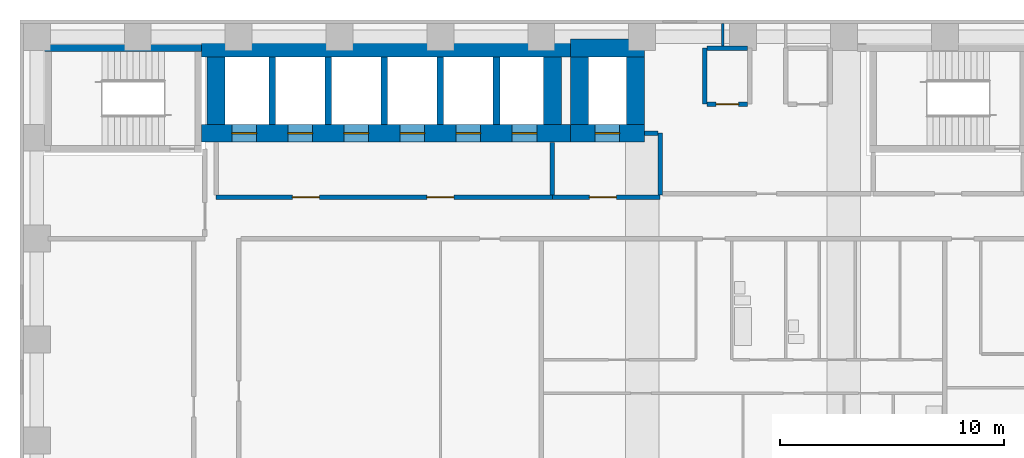
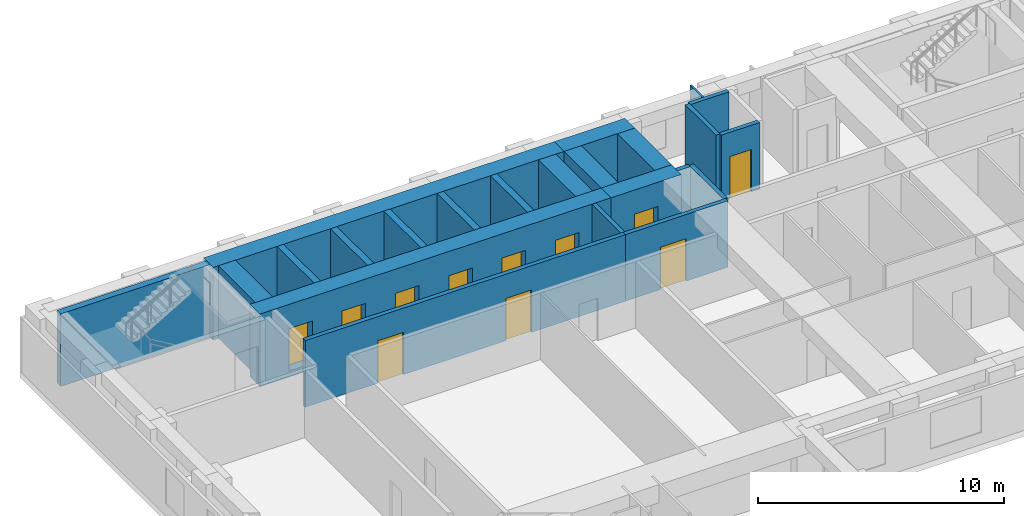
# One storey, part 7 of 14: 23 walls, 11 doors, 11 openings.
"""IFC4 building model written with IfcOpenShell, lengths in metres."""

from ifc_helpers import new_model, si_unit, direction, frame, frame_2d, origin, place, context, subcontext, project, spatial, rectangle, extrude, material, layer, layer_set, type_object, element, fill, save


model = new_model("IFC4")

# Units and contexts
model_context = context("Model", 3, precision=1e-05, world=origin(), true_north=direction((0.0, 1.0)))
body_context = subcontext(model_context, "Body", "Model", "MODEL_VIEW")
ifc_project = project(units=[si_unit("LENGTHUNIT", "METRE"), si_unit("AREAUNIT", "SQUARE_METRE"), si_unit("VOLUMEUNIT", "CUBIC_METRE"), si_unit("PLANEANGLEUNIT", "RADIAN"), si_unit("MASSUNIT", "GRAM", prefix="KILO")], contexts=[model_context])

# Site, building, storey
site_placement = place(None, origin())
site = spatial("IfcSite", under=ifc_project, at=site_placement, CompositionType="ELEMENT")
building_placement = place(site_placement, origin())
building = spatial("IfcBuilding", under=site, at=building_placement, Name="Firuza Court", CompositionType="ELEMENT")
storey_placement = place(building_placement, frame((0.0, 0.0, 32.60009765625)))
storey = spatial("IfcBuildingStorey", under=building, at=storey_placement, Name="L06", CompositionType="ELEMENT", Elevation=32.60009765625)

# Walls
ifc_material_1 = material(Name="Concrete C60/75", Category="concrete")
ifc_layer_1 = layer(ifc_material_1, 0.300048828125)
ifc_layer_set_1 = layer_set([ifc_layer_1], Name="Concrete C60/75")
wall_type_1 = type_object("IfcWallType", Name="Core wall 300 C60/75", PredefinedType="SHEAR", material=ifc_layer_set_1)
wall_1_placement = place(storey_placement, frame((0.35009765625, 58.0, -0.300048828125), z_axis=(0.0, 0.0, 1.0), x_axis=(1.0, 0.0, 0.0)))
element("IfcWall", 1, at=wall_1_placement, inside=storey, type_object=wall_type_1, Name="Core wall stair L06", PredefinedType="SHEAR", context=body_context, shape_type="SweptSolid", body=[
    extrude(rectangle(XDim=7.0, YDim=0.300048828125, at=frame_2d((3.5, 0.0))), origin(), (0.0, 0.0, 1.0), 3.599853515625),
])
for number, where, z_axis, x_axis, name in (
    (2, (10.5, 54.60009765625, -0.300048828125), (0.0, 0.0, 1.0), (0.0, 1.0, 0.0), "Core wall lift shaft L06"),
    (3, (13.0, 54.60009765625, -0.300048828125), (0.0, 0.0, 1.0), (0.0, 1.0, 0.0), "Core wall lift shaft L06"),
    (4, (15.5, 54.60009765625, -0.300048828125), (0.0, 0.0, 1.0), (0.0, 1.0, 0.0), "Core wall lift shaft L06"),
    (5, (18.0, 54.60009765625, -0.300048828125), (0.0, 0.0, 1.0), (0.0, 1.0, 0.0), "Core wall lift shaft L06"),
    (6, (20.5, 54.60009765625, -0.300048828125), (0.0, 0.0, 1.0), (0.0, 1.0, 0.0), "Core wall lift shaft L06"),
):
    element("IfcWall", number, at=place(storey_placement, frame(where, z_axis=z_axis, x_axis=x_axis)), inside=storey, type_object=wall_type_1, Name=name, PredefinedType="SHEAR", context=body_context, shape_type="SweptSolid", body=[
        extrude(rectangle(XDim=3.0, YDim=0.300048828125, at=frame_2d((1.5, 0.0))), origin(), (0.0, 0.0, 1.0), 3.599853515625),
    ])

# Wall, openings, doors
ifc_layer_2 = layer(ifc_material_1, 0.800048828125)
ifc_layer_set_2 = layer_set([ifc_layer_2], Name="Concrete C60/75")
wall_type_2 = type_object("IfcWallType", Name="Core wall 800 C60/75", PredefinedType="SHEAR", material=ifc_layer_set_2)
wall_2_placement = place(storey_placement, frame((7.35009765625, 54.199951171875, -0.300048828125), z_axis=(0.0, 0.0, 1.0), x_axis=(1.0, 0.0, 0.0)))
wall_2 = element("IfcWall", 7, at=wall_2_placement, inside=storey, type_object=wall_type_2, Name="Core wall lift shaft L06", PredefinedType="SHEAR", context=body_context, shape_type="SweptSolid", body=[
    extrude(rectangle(XDim=16.449951171875, YDim=0.800048828125, at=frame_2d((8.22509765625, 0.0))), origin(), (0.0, 0.0, 1.0), 3.599853515625),
])
opening_1_placement = place(wall_2_placement, frame((1.35009765625, 0.0, 0.300048828125)))
opening_1 = element("IfcOpeningElement", 8, at=opening_1_placement, cuts=wall_2, Name="Opening LD-LB1-06", PredefinedType="OPENING", context=body_context, shape_type="SweptSolid", body=[
    extrude(rectangle(XDim=1.10009765625, YDim=2.10009765625, at=frame_2d((0.550048828125, 1.050048828125))), frame((0.0, 0.412109375, 0.0), z_axis=(0.0, -1.0, 0.0), x_axis=(1.0, 0.0, 0.0)), (0.0, 0.0, 1.0), 0.823974609375),
])
opening_2_placement = place(wall_2_placement, frame((3.85009765625, 0.0, 0.300048828125)))
opening_2 = element("IfcOpeningElement", 9, at=opening_2_placement, cuts=wall_2, Name="Opening LD-LB2-06", PredefinedType="OPENING", context=body_context, shape_type="SweptSolid", body=[
    extrude(rectangle(XDim=1.10009765625, YDim=2.10009765625, at=frame_2d((0.550048828125, 1.050048828125))), frame((0.0, 0.412109375, 0.0), z_axis=(0.0, -1.0, 0.0), x_axis=(1.0, 0.0, 0.0)), (0.0, 0.0, 1.0), 0.823974609375),
])
opening_3_placement = place(wall_2_placement, frame((6.35009765625, 0.0, 0.300048828125)))
opening_3 = element("IfcOpeningElement", 10, at=opening_3_placement, cuts=wall_2, Name="Opening LD-LB3-06", PredefinedType="OPENING", context=body_context, shape_type="SweptSolid", body=[
    extrude(rectangle(XDim=1.10009765625, YDim=2.10009765625, at=frame_2d((0.550048828125, 1.050048828125))), frame((0.0, 0.412109375, 0.0), z_axis=(0.0, -1.0, 0.0), x_axis=(1.0, 0.0, 0.0)), (0.0, 0.0, 1.0), 0.823974609375),
])
opening_4_placement = place(wall_2_placement, frame((8.85009765625, 0.0, 0.300048828125)))
opening_4 = element("IfcOpeningElement", 11, at=opening_4_placement, cuts=wall_2, Name="Opening LD-LB4-06", PredefinedType="OPENING", context=body_context, shape_type="SweptSolid", body=[
    extrude(rectangle(XDim=1.10009765625, YDim=2.10009765625, at=frame_2d((0.550048828125, 1.050048828125))), frame((0.0, 0.412109375, 0.0), z_axis=(0.0, -1.0, 0.0), x_axis=(1.0, 0.0, 0.0)), (0.0, 0.0, 1.0), 0.823974609375),
])
opening_5_placement = place(wall_2_placement, frame((11.35009765625, 0.0, 0.300048828125)))
opening_5 = element("IfcOpeningElement", 12, at=opening_5_placement, cuts=wall_2, Name="Opening LD-LB5-06", PredefinedType="OPENING", context=body_context, shape_type="SweptSolid", body=[
    extrude(rectangle(XDim=1.10009765625, YDim=2.10009765625, at=frame_2d((0.550048828125, 1.050048828125))), frame((0.0, 0.412109375, 0.0), z_axis=(0.0, -1.0, 0.0), x_axis=(1.0, 0.0, 0.0)), (0.0, 0.0, 1.0), 0.823974609375),
])
opening_6_placement = place(wall_2_placement, frame((13.85009765625, 0.0, 0.300048828125)))
opening_6 = element("IfcOpeningElement", 13, at=opening_6_placement, cuts=wall_2, Name="Opening LD-LB6-06", PredefinedType="OPENING", context=body_context, shape_type="SweptSolid", body=[
    extrude(rectangle(XDim=1.10009765625, YDim=2.10009765625, at=frame_2d((0.550048828125, 1.050048828125))), frame((0.0, 0.412109375, 0.0), z_axis=(0.0, -1.0, 0.0), x_axis=(1.0, 0.0, 0.0)), (0.0, 0.0, 1.0), 0.823974609375),
])
ifc_material_2 = material(Name="Stainless steel 1.4301 door leaf", Category="steel")
door_type_1 = type_object("IfcDoorType", Name="Lift landing door 1100", OperationType="SLIDING_TO_LEFT", PredefinedType="DOOR", material=ifc_material_2)
door_1_placement = place(opening_1_placement, origin())
door_1 = element("IfcDoor", 14, at=door_1_placement, inside=storey, type_object=door_type_1, Name="Landing door LB1", OperationType="SLIDING_TO_LEFT", OverallHeight=2.10009765625, OverallWidth=1.10009765625, PredefinedType="DOOR", context=body_context, shape_type="SweptSolid", body=[
    extrude(rectangle(XDim=1.10009765625, YDim=2.10009765625, at=frame_2d((0.550048828125, 1.050048828125))), frame((0.0, 0.02490234375, 0.0), z_axis=(0.0, -1.0, 0.0), x_axis=(1.0, 0.0, 0.0)), (0.0, 0.0, 1.0), 0.050048828125),
])
fill(opening_1, door_1)
door_2_placement = place(opening_2_placement, origin())
door_2 = element("IfcDoor", 15, at=door_2_placement, inside=storey, type_object=door_type_1, Name="Landing door LB2", OperationType="SLIDING_TO_LEFT", OverallHeight=2.10009765625, OverallWidth=1.10009765625, PredefinedType="DOOR", context=body_context, shape_type="SweptSolid", body=[
    extrude(rectangle(XDim=1.10009765625, YDim=2.10009765625, at=frame_2d((0.550048828125, 1.050048828125))), frame((0.0, 0.02490234375, 0.0), z_axis=(0.0, -1.0, 0.0), x_axis=(1.0, 0.0, 0.0)), (0.0, 0.0, 1.0), 0.050048828125),
])
fill(opening_2, door_2)
door_3_placement = place(opening_3_placement, origin())
door_3 = element("IfcDoor", 16, at=door_3_placement, inside=storey, type_object=door_type_1, Name="Landing door LB3", OperationType="SLIDING_TO_LEFT", OverallHeight=2.10009765625, OverallWidth=1.10009765625, PredefinedType="DOOR", context=body_context, shape_type="SweptSolid", body=[
    extrude(rectangle(XDim=1.10009765625, YDim=2.10009765625, at=frame_2d((0.550048828125, 1.050048828125))), frame((0.0, 0.02490234375, 0.0), z_axis=(0.0, -1.0, 0.0), x_axis=(1.0, 0.0, 0.0)), (0.0, 0.0, 1.0), 0.050048828125),
])
fill(opening_3, door_3)
door_4_placement = place(opening_4_placement, origin())
door_4 = element("IfcDoor", 17, at=door_4_placement, inside=storey, type_object=door_type_1, Name="Landing door LB4", OperationType="SLIDING_TO_LEFT", OverallHeight=2.10009765625, OverallWidth=1.10009765625, PredefinedType="DOOR", context=body_context, shape_type="SweptSolid", body=[
    extrude(rectangle(XDim=1.10009765625, YDim=2.10009765625, at=frame_2d((0.550048828125, 1.050048828125))), frame((0.0, 0.02490234375, 0.0), z_axis=(0.0, -1.0, 0.0), x_axis=(1.0, 0.0, 0.0)), (0.0, 0.0, 1.0), 0.050048828125),
])
fill(opening_4, door_4)
door_5_placement = place(opening_5_placement, origin())
door_5 = element("IfcDoor", 18, at=door_5_placement, inside=storey, type_object=door_type_1, Name="Landing door LB5", OperationType="SLIDING_TO_LEFT", OverallHeight=2.10009765625, OverallWidth=1.10009765625, PredefinedType="DOOR", context=body_context, shape_type="SweptSolid", body=[
    extrude(rectangle(XDim=1.10009765625, YDim=2.10009765625, at=frame_2d((0.550048828125, 1.050048828125))), frame((0.0, 0.02490234375, 0.0), z_axis=(0.0, -1.0, 0.0), x_axis=(1.0, 0.0, 0.0)), (0.0, 0.0, 1.0), 0.050048828125),
])
fill(opening_5, door_5)
door_6_placement = place(opening_6_placement, origin())
door_6 = element("IfcDoor", 19, at=door_6_placement, inside=storey, type_object=door_type_1, Name="Landing door LB6", OperationType="SLIDING_TO_LEFT", OverallHeight=2.10009765625, OverallWidth=1.10009765625, PredefinedType="DOOR", context=body_context, shape_type="SweptSolid", body=[
    extrude(rectangle(XDim=1.10009765625, YDim=2.10009765625, at=frame_2d((0.550048828125, 1.050048828125))), frame((0.0, 0.02490234375, 0.0), z_axis=(0.0, -1.0, 0.0), x_axis=(1.0, 0.0, 0.0)), (0.0, 0.0, 1.0), 0.050048828125),
])
fill(opening_6, door_6)

# Walls
wall_3_placement = place(storey_placement, frame((7.35009765625, 58.0, -0.300048828125), z_axis=(0.0, 0.0, 1.0), x_axis=(1.0, 0.0, 0.0)))
element("IfcWall", 20, at=wall_3_placement, inside=storey, type_object=wall_type_2, Name="Core wall lift shaft L06", PredefinedType="SHEAR", context=body_context, shape_type="SweptSolid", body=[
    extrude(rectangle(XDim=16.449951171875, YDim=0.800048828125, at=frame_2d((8.22509765625, 0.0))), origin(), (0.0, 0.0, 1.0), 3.599853515625),
])
for number, where, z_axis, x_axis, name in (
    (21, (8.0, 54.60009765625, -0.300048828125), (0.0, 0.0, 1.0), (0.0, 1.0, 0.0), "Core wall lift shaft L06"),
    (22, (23.0, 54.60009765625, -0.300048828125), (0.0, 0.0, 1.0), (0.0, 1.0, 0.0), "Core wall lift shaft L06"),
):
    element("IfcWall", number, at=place(storey_placement, frame(where, z_axis=z_axis, x_axis=x_axis)), inside=storey, type_object=wall_type_2, Name=name, PredefinedType="SHEAR", context=body_context, shape_type="SweptSolid", body=[
        extrude(rectangle(XDim=3.0, YDim=0.800048828125, at=frame_2d((1.5, 0.0))), origin(), (0.0, 0.0, 1.0), 3.599853515625),
    ])

# Wall, opening, door
wall_4_placement = place(storey_placement, frame((23.800048828125, 54.199951171875, -0.300048828125), z_axis=(0.0, 0.0, 1.0), x_axis=(1.0, 0.0, 0.0)))
wall_4 = element("IfcWall", 23, at=wall_4_placement, inside=storey, type_object=wall_type_2, Name="Core wall lift shaft L06", PredefinedType="SHEAR", context=body_context, shape_type="SweptSolid", body=[
    extrude(rectangle(XDim=3.300048828125, YDim=0.800048828125, at=frame_2d((1.64990234375, 0.0))), origin(), (0.0, 0.0, 1.0), 3.599853515625),
])
opening_7_placement = place(wall_4_placement, frame((1.10009765625, 0.0, 0.300048828125)))
opening_7 = element("IfcOpeningElement", 24, at=opening_7_placement, cuts=wall_4, Name="Opening LD-FL3-06", PredefinedType="OPENING", context=body_context, shape_type="SweptSolid", body=[
    extrude(rectangle(XDim=1.10009765625, YDim=2.10009765625, at=frame_2d((0.550048828125, 1.050048828125))), frame((0.0, 0.412109375, 0.0), z_axis=(0.0, -1.0, 0.0), x_axis=(1.0, 0.0, 0.0)), (0.0, 0.0, 1.0), 0.823974609375),
])
door_7_placement = place(opening_7_placement, origin())
door_7 = element("IfcDoor", 25, at=door_7_placement, inside=storey, type_object=door_type_1, Name="Landing door FL3", OperationType="SLIDING_TO_LEFT", OverallHeight=2.10009765625, OverallWidth=1.10009765625, PredefinedType="DOOR", context=body_context, shape_type="SweptSolid", body=[
    extrude(rectangle(XDim=1.10009765625, YDim=2.10009765625, at=frame_2d((0.550048828125, 1.050048828125))), frame((0.0, 0.02490234375, 0.0), z_axis=(0.0, -1.0, 0.0), x_axis=(1.0, 0.0, 0.0)), (0.0, 0.0, 1.0), 0.050048828125),
])
fill(opening_7, door_7)

# Walls
wall_5_placement = place(storey_placement, frame((23.800048828125, 58.0, -0.300048828125), z_axis=(0.0, 0.0, 1.0), x_axis=(1.0, 0.0, 0.0)))
element("IfcWall", 26, at=wall_5_placement, inside=storey, type_object=wall_type_2, Name="Core wall lift shaft L06", PredefinedType="SHEAR", context=body_context, shape_type="SweptSolid", body=[
    extrude(rectangle(XDim=3.300048828125, YDim=0.800048828125, at=frame_2d((1.64990234375, 0.0))), origin(), (0.0, 0.0, 1.0), 3.599853515625),
])
for number, where, z_axis, x_axis, name in (
    (27, (24.199951171875, 54.60009765625, -0.300048828125), (0.0, 0.0, 1.0), (0.0, 1.0, 0.0), "Core wall lift shaft L06"),
    (28, (26.699951171875, 54.60009765625, -0.300048828125), (0.0, 0.0, 1.0), (0.0, 1.0, 0.0), "Core wall lift shaft L06"),
):
    element("IfcWall", number, at=place(storey_placement, frame(where, z_axis=z_axis, x_axis=x_axis)), inside=storey, type_object=wall_type_2, Name=name, PredefinedType="SHEAR", context=body_context, shape_type="SweptSolid", body=[
        extrude(rectangle(XDim=3.0, YDim=0.800048828125, at=frame_2d((1.5, 0.0))), origin(), (0.0, 0.0, 1.0), 3.599853515625),
    ])
ifc_material_3 = material(Name="Timber stud partition, plasterboard both sides", Category="wood")
ifc_layer_3 = layer(ifc_material_3, 0.10009765625)
ifc_layer_set_3 = layer_set([ifc_layer_3], Name="Timber stud partition, plasterboard both sides")
wall_type_3 = type_object("IfcWallType", Name="Partition wall 100", PredefinedType="PARTITIONING", material=ifc_layer_set_3)
wall_6_placement = place(storey_placement, frame((30.60009765625, 58.10009765625, 0.0), z_axis=(0.0, 0.0, 1.0), x_axis=(0.0, 1.0, 0.0)))
element("IfcWall", 29, at=wall_6_placement, inside=storey, type_object=wall_type_3, Name="Partition wall 100 L06", PredefinedType="PARTITIONING", context=body_context, shape_type="SweptSolid", body=[
    extrude(rectangle(XDim=1.0, YDim=0.10009765625, at=frame_2d((0.5, 0.0))), origin(), (0.0, 0.0, 1.0), 3.2998046875),
])
ifc_material_4 = material(Name="Blockwork, fire-rated", Category="masonry")
ifc_layer_4 = layer(ifc_material_4, 0.199951171875)
ifc_layer_set_4 = layer_set([ifc_layer_4], Name="Blockwork, fire-rated")
wall_type_4 = type_object("IfcWallType", Name="Plant room wall 200", PredefinedType="PARTITIONING", material=ifc_layer_set_4)
wall_7_placement = place(storey_placement, frame((29.800048828125, 55.5, 0.0), z_axis=(0.0, 0.0, 1.0), x_axis=(0.0, 1.0, 0.0)))
element("IfcWall", 30, at=wall_7_placement, inside=storey, type_object=wall_type_4, Name="Plant room wall 200 L06", PredefinedType="PARTITIONING", context=body_context, shape_type="SweptSolid", body=[
    extrude(rectangle(XDim=2.5, YDim=0.199951171875, at=frame_2d((1.25, 0.0))), origin(), (0.0, 0.0, 1.0), 3.2998046875),
])

# Wall, opening, door
wall_8_placement = place(storey_placement, frame((29.89990234375, 55.5, 0.0), z_axis=(0.0, 0.0, 1.0), x_axis=(1.0, 0.0, 0.0)))
wall_8 = element("IfcWall", 31, at=wall_8_placement, inside=storey, type_object=wall_type_4, Name="Plant room wall 200 L06", PredefinedType="PARTITIONING", context=body_context, shape_type="SweptSolid", body=[
    extrude(rectangle(XDim=1.800048828125, YDim=0.199951171875, at=frame_2d((0.89990234375, 0.0))), origin(), (0.0, 0.0, 1.0), 3.2998046875),
])
opening_8_placement = place(wall_8_placement, frame((0.39990234375, 0.0, 0.0)))
opening_8 = element("IfcOpeningElement", 32, at=opening_8_placement, cuts=wall_8, Name="Opening D06075", PredefinedType="OPENING", context=body_context, shape_type="SweptSolid", body=[
    extrude(rectangle(XDim=1.0, YDim=2.10009765625, at=frame_2d((0.5, 1.050048828125))), frame((0.0, 0.11181640625, 0.0), z_axis=(0.0, -1.0, 0.0), x_axis=(1.0, 0.0, 0.0)), (0.0, 0.0, 1.0), 0.223876953125),
])
ifc_material_5 = material(Name="Timber door leaf in hardwood frame", Category="wood")
door_type_2 = type_object("IfcDoorType", Name="Riser door 1000", OperationType="SINGLE_SWING_LEFT", PredefinedType="DOOR", material=ifc_material_5)
door_8_placement = place(opening_8_placement, origin())
door_8 = element("IfcDoor", 33, at=door_8_placement, inside=storey, type_object=door_type_2, Name="Electrical riser door", OperationType="SINGLE_SWING_LEFT", OverallHeight=2.10009765625, OverallWidth=1.0, PredefinedType="DOOR", context=body_context, shape_type="SweptSolid", body=[
    extrude(rectangle(XDim=1.0, YDim=2.10009765625, at=frame_2d((0.5, 1.050048828125))), frame((0.0, 0.02490234375, 0.0), z_axis=(0.0, -1.0, 0.0), x_axis=(1.0, 0.0, 0.0)), (0.0, 0.0, 1.0), 0.050048828125),
])
fill(opening_8, door_8)

# Wall
wall_9_placement = place(storey_placement, frame((29.89990234375, 58.0, 0.0), z_axis=(0.0, 0.0, 1.0), x_axis=(1.0, 0.0, 0.0)))
element("IfcWall", 34, at=wall_9_placement, inside=storey, type_object=wall_type_4, Name="Plant room wall 200 L06", PredefinedType="PARTITIONING", context=body_context, shape_type="SweptSolid", body=[
    extrude(rectangle(XDim=1.800048828125, YDim=0.199951171875, at=frame_2d((0.89990234375, 0.0))), origin(), (0.0, 0.0, 1.0), 3.2998046875),
])

# Wall, openings, doors
ifc_layer_5 = layer(ifc_material_4, 0.199951171875)
ifc_layer_set_5 = layer_set([ifc_layer_5], Name="Blockwork, fire-rated")
wall_type_5 = type_object("IfcWallType", Name="Shaft wall 200", PredefinedType="PARTITIONING", material=ifc_layer_set_5)
wall_10_placement = place(storey_placement, frame((8.0, 51.35009765625, 0.0), z_axis=(0.0, 0.0, 1.0), x_axis=(1.0, 0.0, 0.0)))
wall_10 = element("IfcWall", 35, at=wall_10_placement, inside=storey, type_object=wall_type_5, Name="Shaft wall 200 L06", PredefinedType="PARTITIONING", context=body_context, shape_type="SweptSolid", body=[
    extrude(rectangle(XDim=15.0, YDim=0.199951171875, at=frame_2d((7.5, 0.0))), origin(), (0.0, 0.0, 1.0), 3.2998046875),
])
opening_9_placement = place(wall_10_placement, frame((3.39990234375, 0.0, 0.0)))
opening_9 = element("IfcOpeningElement", 36, at=opening_9_placement, cuts=wall_10, Name="Opening D06004", PredefinedType="OPENING", context=body_context, shape_type="SweptSolid", body=[
    extrude(rectangle(XDim=1.199951171875, YDim=2.10009765625, at=frame_2d((0.60009765625, 1.050048828125))), frame((0.0, 0.11181640625, 0.0), z_axis=(0.0, -1.0, 0.0), x_axis=(1.0, 0.0, 0.0)), (0.0, 0.0, 1.0), 0.223876953125),
])
opening_10_placement = place(wall_10_placement, frame((9.39990234375, 0.0, 0.0)))
opening_10 = element("IfcOpeningElement", 37, at=opening_10_placement, cuts=wall_10, Name="Opening D06005", PredefinedType="OPENING", context=body_context, shape_type="SweptSolid", body=[
    extrude(rectangle(XDim=1.199951171875, YDim=2.10009765625, at=frame_2d((0.60009765625, 1.050048828125))), frame((0.0, 0.11181640625, 0.0), z_axis=(0.0, -1.0, 0.0), x_axis=(1.0, 0.0, 0.0)), (0.0, 0.0, 1.0), 0.223876953125),
])
ifc_material_6 = material(Name="Timber door leaf in hardwood frame", Category="wood")
door_type_3 = type_object("IfcDoorType", Name="Lobby door 1200", OperationType="SINGLE_SWING_LEFT", PredefinedType="DOOR", material=ifc_material_6)
door_9_placement = place(opening_9_placement, origin())
door_9 = element("IfcDoor", 38, at=door_9_placement, inside=storey, type_object=door_type_3, Name="Lobby door", OperationType="SINGLE_SWING_LEFT", OverallHeight=2.10009765625, OverallWidth=1.199951171875, PredefinedType="DOOR", context=body_context, shape_type="SweptSolid", body=[
    extrude(rectangle(XDim=1.199951171875, YDim=2.10009765625, at=frame_2d((0.60009765625, 1.050048828125))), frame((0.0, 0.02490234375, 0.0), z_axis=(0.0, -1.0, 0.0), x_axis=(1.0, 0.0, 0.0)), (0.0, 0.0, 1.0), 0.050048828125),
])
fill(opening_9, door_9)
door_10_placement = place(opening_10_placement, origin())
door_10 = element("IfcDoor", 39, at=door_10_placement, inside=storey, type_object=door_type_3, Name="Lobby door", OperationType="SINGLE_SWING_RIGHT", OverallHeight=2.10009765625, OverallWidth=1.199951171875, PredefinedType="DOOR", context=body_context, shape_type="SweptSolid", body=[
    extrude(rectangle(XDim=1.199951171875, YDim=2.10009765625, at=frame_2d((0.60009765625, 1.050048828125))), frame((0.0, 0.02490234375, 0.0), z_axis=(0.0, -1.0, 0.0), x_axis=(1.0, 0.0, 0.0)), (0.0, 0.0, 1.0), 0.050048828125),
])
fill(opening_10, door_10)

# Wall
wall_11_placement = place(storey_placement, frame((23.0, 51.449951171875, 0.0), z_axis=(0.0, 0.0, 1.0), x_axis=(0.0, 1.0, 0.0)))
element("IfcWall", 40, at=wall_11_placement, inside=storey, type_object=wall_type_5, Name="Shaft wall 200 L06", PredefinedType="PARTITIONING", context=body_context, shape_type="SweptSolid", body=[
    extrude(rectangle(XDim=2.330078125, YDim=0.199951171875, at=frame_2d((1.1650390625, 0.0))), origin(), (0.0, 0.0, 1.0), 3.2998046875),
])

# Wall, opening, door
wall_12_placement = place(storey_placement, frame((23.0, 51.35009765625, 0.0), z_axis=(0.0, 0.0, 1.0), x_axis=(1.0, 0.0, 0.0)))
wall_12 = element("IfcWall", 41, at=wall_12_placement, inside=storey, type_object=wall_type_5, Name="Shaft wall 200 L06", PredefinedType="PARTITIONING", context=body_context, shape_type="SweptSolid", body=[
    extrude(rectangle(XDim=4.800048828125, YDim=0.199951171875, at=frame_2d((2.39990234375, 0.0))), origin(), (0.0, 0.0, 1.0), 3.2998046875),
])
opening_11_placement = place(wall_12_placement, frame((1.64990234375, 0.0, 0.0)))
opening_11 = element("IfcOpeningElement", 42, at=opening_11_placement, cuts=wall_12, Name="Opening D06003", PredefinedType="OPENING", context=body_context, shape_type="SweptSolid", body=[
    extrude(rectangle(XDim=1.199951171875, YDim=2.10009765625, at=frame_2d((0.60009765625, 1.050048828125))), frame((0.0, 0.11181640625, 0.0), z_axis=(0.0, -1.0, 0.0), x_axis=(1.0, 0.0, 0.0)), (0.0, 0.0, 1.0), 0.223876953125),
])
door_11_placement = place(opening_11_placement, origin())
door_11 = element("IfcDoor", 43, at=door_11_placement, inside=storey, type_object=door_type_3, Name="Fire-fighting lobby door", OperationType="SINGLE_SWING_LEFT", OverallHeight=2.10009765625, OverallWidth=1.199951171875, PredefinedType="DOOR", context=body_context, shape_type="SweptSolid", body=[
    extrude(rectangle(XDim=1.199951171875, YDim=2.10009765625, at=frame_2d((0.60009765625, 1.050048828125))), frame((0.0, 0.02490234375, 0.0), z_axis=(0.0, -1.0, 0.0), x_axis=(1.0, 0.0, 0.0)), (0.0, 0.0, 1.0), 0.050048828125),
])
fill(opening_11, door_11)

# Walls
wall_13_placement = place(storey_placement, frame((27.800048828125, 51.449951171875, 0.0), z_axis=(0.0, 0.0, 1.0), x_axis=(0.0, 1.0, 0.0)))
element("IfcWall", 44, at=wall_13_placement, inside=storey, type_object=wall_type_5, Name="Shaft wall 200 L06", PredefinedType="PARTITIONING", context=body_context, shape_type="SweptSolid", body=[
    extrude(rectangle(XDim=2.75, YDim=0.199951171875, at=frame_2d((1.375, 0.0))), origin(), (0.0, 0.0, 1.0), 3.2998046875),
])
wall_14_placement = place(storey_placement, frame((27.10009765625, 54.199951171875, 0.0), z_axis=(0.0, 0.0, 1.0), x_axis=(1.0, 0.0, 0.0)))
element("IfcWall", 45, at=wall_14_placement, inside=storey, type_object=wall_type_5, Name="Shaft wall 200 L06", PredefinedType="PARTITIONING", context=body_context, shape_type="SweptSolid", body=[
    extrude(rectangle(XDim=0.599853515625, YDim=0.199951171875, at=frame_2d((0.2998046875, 0.0))), origin(), (0.0, 0.0, 1.0), 3.2998046875),
])

save(model, "model.ifc")
